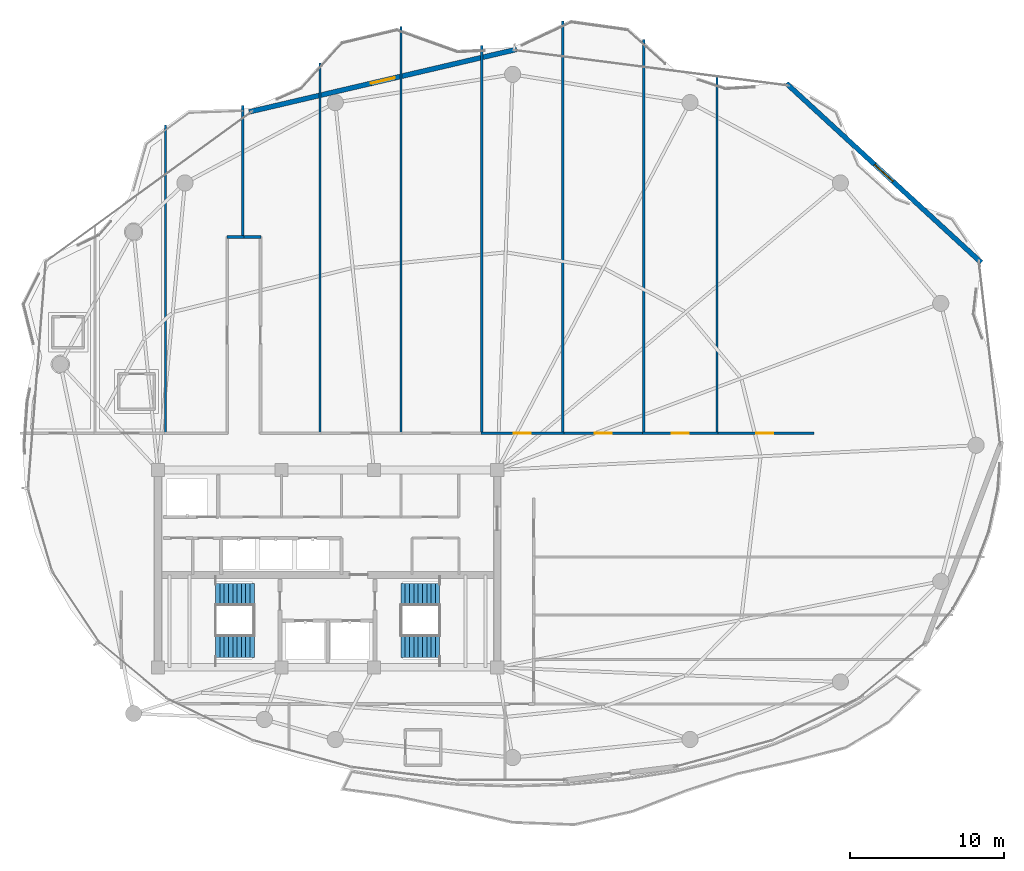
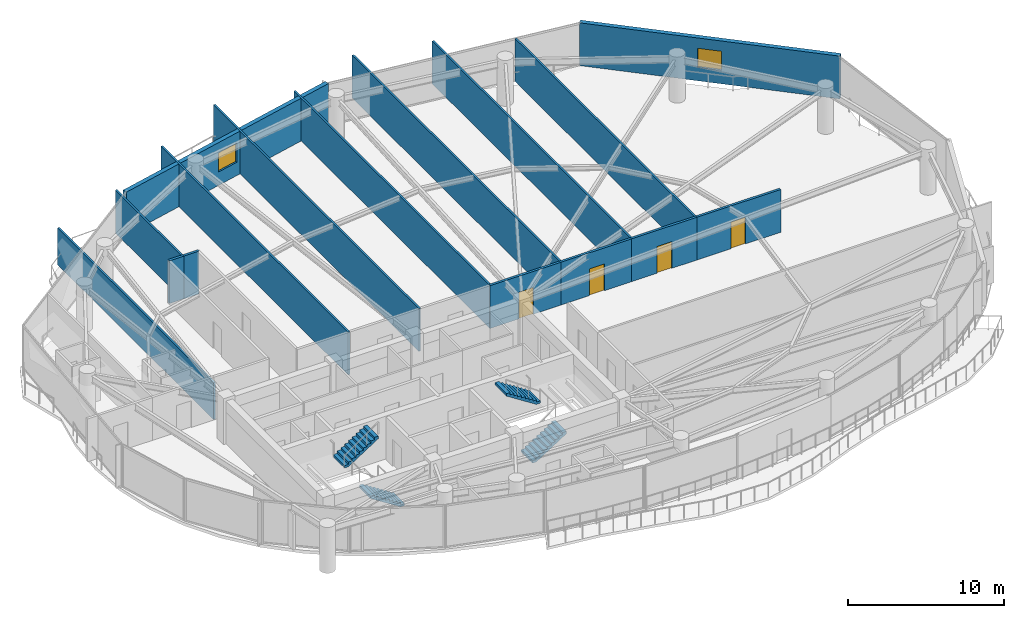
# One storey, part 27 of 31: 16 walls, 4 doors, 4 stair flights, 2 windows, 6 openings, 2 elements without a shape of their own.
"""IFC4 building model written with IfcOpenShell, lengths in metres."""

from ifc_helpers import new_model, si_unit, direction, frame, frame_2d, origin, place, context, subcontext, project, spatial, polyline, rectangle, outline, extrude, material, layer, layer_set, type_object, element, fill, aggregate, save


model = new_model("IFC4")

# Units and contexts
model_context = context("Model", 3, precision=1e-05, world=origin(), true_north=direction((0.0, 1.0)))
body_context = subcontext(model_context, "Body", "Model", "MODEL_VIEW")
ifc_project = project(units=[si_unit("LENGTHUNIT", "METRE"), si_unit("AREAUNIT", "SQUARE_METRE"), si_unit("VOLUMEUNIT", "CUBIC_METRE"), si_unit("PLANEANGLEUNIT", "RADIAN"), si_unit("MASSUNIT", "GRAM", prefix="KILO")], contexts=[model_context])

# Site, building, storey
site_placement = place(None, origin())
site = spatial("IfcSite", under=ifc_project, at=site_placement, CompositionType="ELEMENT")
building_placement = place(site_placement, origin())
building = spatial("IfcBuilding", under=site, at=building_placement, Name="Kazevale Care Tower and Concert Hall", CompositionType="ELEMENT")
storey_placement = place(building_placement, frame((0.0, 0.0, 238.800048828125)))
storey = spatial("IfcBuildingStorey", under=building, at=storey_placement, Name="L63", CompositionType="ELEMENT", Elevation=238.800048828125)

# Walls
ifc_material_1 = material(Name="Acoustic Gypsum on Steel Stud", Category="steel")
ifc_layer_1 = layer(ifc_material_1, 0.139892578125)
ifc_layer_set_1 = layer_set([ifc_layer_1], Name="Acoustic Gypsum on Steel Stud")
wall_type_1 = type_object("IfcWallType", Name="Acoustic Care & Suite Partition 140", PredefinedType="PARTITIONING", material=ifc_layer_set_1)
wall_1_placement = place(storey_placement, frame((22.5, 58.781982421875, 0.0), z_axis=(0.0, 0.0, 1.0), x_axis=(0.0, -1.0, 0.0)))
element("IfcWall", 1, at=wall_1_placement, inside=storey, type_object=wall_type_1, Name="wall:L63:auto_024", PredefinedType="PARTITIONING", context=body_context, shape_type="SweptSolid", body=[
    extrude(rectangle(XDim=20.036865234375, YDim=0.139892578125, at=frame_2d((10.0185546875, 0.0))), origin(), (0.0, 0.0, 1.0), 2.889892578125),
])
wall_2_placement = place(storey_placement, frame((27.5, 60.02392578125, 0.0), z_axis=(0.0, 0.0, 1.0), x_axis=(0.0, -1.0, 0.0)))
element("IfcWall", 2, at=wall_2_placement, inside=storey, type_object=wall_type_1, Name="wall:L63:auto_025", PredefinedType="PARTITIONING", context=body_context, shape_type="SweptSolid", body=[
    extrude(rectangle(XDim=8.553955078125, YDim=0.139892578125, at=frame_2d((4.27685546875, 0.0))), origin(), (0.0, 0.0, 1.0), 3.35986328125),
])
wall_3_placement = place(storey_placement, frame((32.5, 62.799072265625, 0.0), z_axis=(0.0, 0.0, 1.0), x_axis=(0.0, -1.0, 0.0)))
element("IfcWall", 3, at=wall_3_placement, inside=storey, type_object=wall_type_1, Name="wall:L63:auto_026", PredefinedType="PARTITIONING", context=body_context, shape_type="SweptSolid", body=[
    extrude(rectangle(XDim=24.053955078125, YDim=0.139892578125, at=frame_2d((12.02685546875, 0.0))), origin(), (0.0, 0.0, 1.0), 3.35986328125),
])
wall_4_placement = place(storey_placement, frame((37.75, 65.14990234375, 0.0), z_axis=(0.0, 0.0, 1.0), x_axis=(0.0, -1.0, 0.0)))
element("IfcWall", 4, at=wall_4_placement, inside=storey, type_object=wall_type_1, Name="wall:L63:auto_027", PredefinedType="PARTITIONING", context=body_context, shape_type="SweptSolid", body=[
    extrude(rectangle(XDim=26.40478515625, YDim=0.139892578125, at=frame_2d((13.202392578125, 0.0))), origin(), (0.0, 0.0, 1.0), 3.35986328125),
])
wall_5_placement = place(storey_placement, frame((43.0, 63.908935546875, 0.0), z_axis=(0.0, 0.0, 1.0), x_axis=(0.0, -1.0, 0.0)))
element("IfcWall", 5, at=wall_5_placement, inside=storey, type_object=wall_type_1, Name="wall:L63:auto_028", PredefinedType="PARTITIONING", context=body_context, shape_type="SweptSolid", body=[
    extrude(rectangle(XDim=25.163818359375, YDim=0.139892578125, at=frame_2d((12.58203125, 0.0))), origin(), (0.0, 0.0, 1.0), 3.35986328125),
])
wall_6_placement = place(storey_placement, frame((48.25, 65.508056640625, 0.0), z_axis=(0.0, 0.0, 1.0), x_axis=(0.0, -1.0, 0.0)))
element("IfcWall", 6, at=wall_6_placement, inside=storey, type_object=wall_type_1, Name="wall:L63:auto_029", PredefinedType="PARTITIONING", context=body_context, shape_type="SweptSolid", body=[
    extrude(rectangle(XDim=26.762939453125, YDim=0.139892578125, at=frame_2d((13.38134765625, 0.0))), origin(), (0.0, 0.0, 1.0), 3.35986328125),
])
wall_7_placement = place(storey_placement, frame((53.5, 64.298095703125, 0.0), z_axis=(0.0, 0.0, 1.0), x_axis=(0.0, -1.0, 0.0)))
element("IfcWall", 7, at=wall_7_placement, inside=storey, type_object=wall_type_1, Name="wall:L63:auto_030", PredefinedType="PARTITIONING", context=body_context, shape_type="SweptSolid", body=[
    extrude(rectangle(XDim=25.552978515625, YDim=0.139892578125, at=frame_2d((12.7763671875, 0.0))), origin(), (0.0, 0.0, 1.0), 3.35986328125),
])
wall_8_placement = place(storey_placement, frame((58.25, 61.90625, 0.0), z_axis=(0.0, 0.0, 1.0), x_axis=(0.0, -1.0, 0.0)))
element("IfcWall", 8, at=wall_8_placement, inside=storey, type_object=wall_type_1, Name="wall:L63:auto_031", PredefinedType="PARTITIONING", context=body_context, shape_type="SweptSolid", body=[
    extrude(rectangle(XDim=23.1611328125, YDim=0.139892578125, at=frame_2d((11.58056640625, 0.0))), origin(), (0.0, 0.0, 1.0), 3.35986328125),
])
ifc_material_2 = material(Name="Concrete C40 and Acoustic Gypsum", Category="concrete")
ifc_layer_2 = layer(ifc_material_2, 0.179931640625)
ifc_layer_set_2 = layer_set([ifc_layer_2], Name="Concrete C40 and Acoustic Gypsum")
wall_type_2 = type_object("IfcWallType", Name="Fire-Rated Corridor & Party Wall 180", PredefinedType="PARTITIONING", material=ifc_layer_set_2)
wall_9_placement = place(storey_placement, frame((26.469970703125, 51.5, 0.0), z_axis=(0.0, 0.0, 1.0), x_axis=(1.0, 0.0, 0.0)))
element("IfcWall", 9, at=wall_9_placement, inside=storey, type_object=wall_type_2, Name="wall:L63:auto_005", PredefinedType="PARTITIONING", context=body_context, shape_type="SweptSolid", body=[
    extrude(rectangle(XDim=1.094970703125, YDim=0.179931640625, at=frame_2d((0.54736328125, 0.0))), origin(), (0.0, 0.0, 1.0), 3.35986328125),
])
wall_10_placement = place(storey_placement, frame((27.43505859375, 51.5, 0.0), z_axis=(0.0, 0.0, 1.0), x_axis=(1.0, 0.0, 0.0)))
element("IfcWall", 10, at=wall_10_placement, inside=storey, type_object=wall_type_2, Name="wall:L63:auto_008", PredefinedType="PARTITIONING", context=body_context, shape_type="SweptSolid", body=[
    extrude(rectangle(XDim=1.244873046875, YDim=0.179931640625, at=frame_2d((0.62255859375, 0.0))), origin(), (0.0, 0.0, 1.0), 3.35986328125),
])

# Wall, opening, door
wall_11_placement = place(storey_placement, frame((42.93505859375, 38.77490234375, 0.0), z_axis=(0.0, 0.0, 1.0), x_axis=(1.0, 0.0, 0.0)))
wall_11 = element("IfcWall", 11, at=wall_11_placement, inside=storey, type_object=wall_type_2, Name="wall:L63:auto_011", PredefinedType="PARTITIONING", context=body_context, shape_type="SweptSolid", body=[
    extrude(rectangle(XDim=5.3798828125, YDim=0.179931640625, at=frame_2d((2.68994140625, 0.0))), origin(), (0.0, 0.0, 1.0), 3.35986328125),
])
opening_1_placement = place(wall_11_placement, frame((2.139892578125, 0.0, 0.0)))
opening_1 = element("IfcOpeningElement", 12, at=opening_1_placement, cuts=wall_11, Name="Opening ID-1100", PredefinedType="OPENING", context=body_context, shape_type="SweptSolid", body=[
    extrude(rectangle(XDim=1.10009765625, YDim=2.10009765625, at=frame_2d((0.550048828125, 1.050048828125))), frame((0.0, 0.099853515625, 0.0), z_axis=(0.0, -1.0, 0.0), x_axis=(1.0, 0.0, 0.0)), (0.0, 0.0, 1.0), 0.199951171875),
])
ifc_material_3 = material(Name="Oak Timber Fire Leaf", Category="wood")
door_type = type_object("IfcDoorType", Name="Care Bedroom Accessible Door 1100x2100", OperationType="NOTDEFINED", PredefinedType="DOOR", material=ifc_material_3)
door_1_placement = place(opening_1_placement, origin())
door_1 = element("IfcDoor", 13, at=door_1_placement, inside=storey, type_object=door_type, Name="door:L63:ad_011", OperationType="SINGLE_SWING_LEFT", OverallHeight=2.10009765625, OverallWidth=1.10009765625, PredefinedType="DOOR", context=body_context, shape_type="SweptSolid", body=[
    extrude(rectangle(XDim=1.10009765625, YDim=2.10009765625, at=frame_2d((0.550048828125, 1.050048828125))), frame((0.0, 0.02490234375, 0.0), z_axis=(0.0, -1.0, 0.0), x_axis=(1.0, 0.0, 0.0)), (0.0, 0.0, 1.0), 0.050048828125),
])
fill(opening_1, door_1)

wall_12_placement = place(storey_placement, frame((48.18505859375, 38.77490234375, 0.0), z_axis=(0.0, 0.0, 1.0), x_axis=(1.0, 0.0, 0.0)))
wall_12 = element("IfcWall", 14, at=wall_12_placement, inside=storey, type_object=wall_type_2, Name="wall:L63:auto_012", PredefinedType="PARTITIONING", context=body_context, shape_type="SweptSolid", body=[
    extrude(rectangle(XDim=5.3798828125, YDim=0.179931640625, at=frame_2d((2.68994140625, 0.0))), origin(), (0.0, 0.0, 1.0), 3.35986328125),
])
opening_2_placement = place(wall_12_placement, frame((2.139892578125, 0.0, 0.0)))
opening_2 = element("IfcOpeningElement", 15, at=opening_2_placement, cuts=wall_12, Name="Opening ID-1100", PredefinedType="OPENING", context=body_context, shape_type="SweptSolid", body=[
    extrude(rectangle(XDim=1.10009765625, YDim=2.10009765625, at=frame_2d((0.550048828125, 1.050048828125))), frame((0.0, 0.099853515625, 0.0), z_axis=(0.0, -1.0, 0.0), x_axis=(1.0, 0.0, 0.0)), (0.0, 0.0, 1.0), 0.199951171875),
])
door_2_placement = place(opening_2_placement, origin())
door_2 = element("IfcDoor", 16, at=door_2_placement, inside=storey, type_object=door_type, Name="door:L63:ad_012", OperationType="SINGLE_SWING_LEFT", OverallHeight=2.10009765625, OverallWidth=1.10009765625, PredefinedType="DOOR", context=body_context, shape_type="SweptSolid", body=[
    extrude(rectangle(XDim=1.10009765625, YDim=2.10009765625, at=frame_2d((0.550048828125, 1.050048828125))), frame((0.0, 0.02490234375, 0.0), z_axis=(0.0, -1.0, 0.0), x_axis=(1.0, 0.0, 0.0)), (0.0, 0.0, 1.0), 0.050048828125),
])
fill(opening_2, door_2)

wall_13_placement = place(storey_placement, frame((53.43505859375, 38.77490234375, 0.0), z_axis=(0.0, 0.0, 1.0), x_axis=(1.0, 0.0, 0.0)))
wall_13 = element("IfcWall", 17, at=wall_13_placement, inside=storey, type_object=wall_type_2, Name="wall:L63:auto_013", PredefinedType="PARTITIONING", context=body_context, shape_type="SweptSolid", body=[
    extrude(rectangle(XDim=4.8798828125, YDim=0.179931640625, at=frame_2d((2.43994140625, 0.0))), origin(), (0.0, 0.0, 1.0), 3.35986328125),
])
opening_3_placement = place(wall_13_placement, frame((1.889892578125, 0.0, 0.0)))
opening_3 = element("IfcOpeningElement", 18, at=opening_3_placement, cuts=wall_13, Name="Opening ID-1100", PredefinedType="OPENING", context=body_context, shape_type="SweptSolid", body=[
    extrude(rectangle(XDim=1.10009765625, YDim=2.10009765625, at=frame_2d((0.550048828125, 1.050048828125))), frame((0.0, 0.099853515625, 0.0), z_axis=(0.0, -1.0, 0.0), x_axis=(1.0, 0.0, 0.0)), (0.0, 0.0, 1.0), 0.199951171875),
])
door_3_placement = place(opening_3_placement, origin())
door_3 = element("IfcDoor", 19, at=door_3_placement, inside=storey, type_object=door_type, Name="door:L63:ad_013", OperationType="SINGLE_SWING_LEFT", OverallHeight=2.10009765625, OverallWidth=1.10009765625, PredefinedType="DOOR", context=body_context, shape_type="SweptSolid", body=[
    extrude(rectangle(XDim=1.10009765625, YDim=2.10009765625, at=frame_2d((0.550048828125, 1.050048828125))), frame((0.0, 0.02490234375, 0.0), z_axis=(0.0, -1.0, 0.0), x_axis=(1.0, 0.0, 0.0)), (0.0, 0.0, 1.0), 0.050048828125),
])
fill(opening_3, door_3)

wall_14_placement = place(storey_placement, frame((58.18505859375, 38.77490234375, 0.0), z_axis=(0.0, 0.0, 1.0), x_axis=(1.0, 0.0, 0.0)))
wall_14 = element("IfcWall", 20, at=wall_14_placement, inside=storey, type_object=wall_type_2, Name="wall:L63:auto_014", PredefinedType="PARTITIONING", context=body_context, shape_type="SweptSolid", body=[
    extrude(rectangle(XDim=6.344970703125, YDim=0.179931640625, at=frame_2d((3.17236328125, 0.0))), origin(), (0.0, 0.0, 1.0), 3.35986328125),
])
opening_4_placement = place(wall_14_placement, frame((2.6220703125, 0.0, 0.0)))
opening_4 = element("IfcOpeningElement", 21, at=opening_4_placement, cuts=wall_14, Name="Opening ID-1100", PredefinedType="OPENING", context=body_context, shape_type="SweptSolid", body=[
    extrude(rectangle(XDim=1.10009765625, YDim=2.10009765625, at=frame_2d((0.550048828125, 1.050048828125))), frame((0.0, 0.099853515625, 0.0), z_axis=(0.0, -1.0, 0.0), x_axis=(1.0, 0.0, 0.0)), (0.0, 0.0, 1.0), 0.199951171875),
])
door_4_placement = place(opening_4_placement, origin())
door_4 = element("IfcDoor", 22, at=door_4_placement, inside=storey, type_object=door_type, Name="door:L63:ad_014", OperationType="SINGLE_SWING_LEFT", OverallHeight=2.10009765625, OverallWidth=1.10009765625, PredefinedType="DOOR", context=body_context, shape_type="SweptSolid", body=[
    extrude(rectangle(XDim=1.10009765625, YDim=2.10009765625, at=frame_2d((0.550048828125, 1.050048828125))), frame((0.0, 0.02490234375, 0.0), z_axis=(0.0, -1.0, 0.0), x_axis=(1.0, 0.0, 0.0)), (0.0, 0.0, 1.0), 0.050048828125),
])
fill(opening_4, door_4)

# Wall, opening, window
ifc_material_4 = material(Name="Concrete C40 with Honed Limestone Cladding", Category="masonry")
ifc_layer_3 = layer(ifc_material_4, 0.320068359375)
ifc_layer_set_3 = layer_set([ifc_layer_3], Name="Concrete C40 with Honed Limestone Cladding")
wall_type_3 = type_object("IfcWallType", Name="Tower Honed Limestone Spandrel Wall 320", PredefinedType="STANDARD", material=ifc_layer_set_3)
wall_15_placement = place(storey_placement, frame((27.908935546875, 59.616943359375, 0.0), z_axis=(0.0, 0.0, 1.0), x_axis=(0.973753606594, 0.227604731158, 0.0)))
wall_15 = element("IfcWall", 23, at=wall_15_placement, inside=storey, type_object=wall_type_3, Name="wall:L63:cbox:15", PredefinedType="STANDARD", context=body_context, shape_type="SweptSolid", body=[
    extrude(rectangle(XDim=17.816650390625, YDim=0.320068359375, at=frame_2d((8.908203125, 0.0))), origin(), (0.0, 0.0, 1.0), 3.35986328125),
])
opening_5_placement = place(wall_15_placement, frame((8.10888671875, 0.0, 1.050048828125)))
opening_5 = element("IfcOpeningElement", 24, at=opening_5_placement, cuts=wall_15, Name="Opening WIN-1", PredefinedType="OPENING", context=body_context, shape_type="SweptSolid", body=[
    extrude(rectangle(XDim=1.60009765625, YDim=1.5, at=frame_2d((0.800048828125, 0.75))), frame((0.0, 0.169921875, 0.0), z_axis=(0.0, -1.0, 0.0), x_axis=(1.0, 0.0, 0.0)), (0.0, 0.0, 1.0), 0.340087890625),
])
ifc_material_5 = material(Name="Low-E Laminated Glass", Category="glass")
window_type = type_object("IfcWindowType", Name="Convex Box Deep-Set Window 1600x1500", PartitioningType="DOUBLE_PANEL_VERTICAL", PredefinedType="WINDOW", material=ifc_material_5)
window_1_placement = place(opening_5_placement, origin())
window_1 = element("IfcWindow", 25, at=window_1_placement, inside=storey, type_object=window_type, Name="win:L63:cbox:15", OverallHeight=1.5, OverallWidth=1.60009765625, PartitioningType="SINGLE_PANEL", PredefinedType="WINDOW", context=body_context, shape_type="SweptSolid", body=[
    extrude(rectangle(XDim=1.60009765625, YDim=1.5, at=frame_2d((0.800048828125, 0.75))), frame((0.0, 0.030029296875, 0.0), z_axis=(0.0, -1.0, 0.0), x_axis=(1.0, 0.0, 0.0)), (0.0, 0.0, 1.0), 0.06005859375),
])
fill(opening_5, window_1)

wall_16_placement = place(storey_placement, frame((62.7509765625, 61.462890625, 0.0), z_axis=(0.0, 0.0, 1.0), x_axis=(0.736063690764, -0.676912286149, 0.0)))
wall_16 = element("IfcWall", 26, at=wall_16_placement, inside=storey, type_object=wall_type_3, Name="wall:L63:cbox:17", PredefinedType="STANDARD", context=body_context, shape_type="SweptSolid", body=[
    extrude(rectangle(XDim=17.16162109375, YDim=0.320068359375, at=frame_2d((8.580810546875, 0.0))), origin(), (0.0, 0.0, 1.0), 3.35986328125),
])
opening_6_placement = place(wall_16_placement, frame((7.781005859375, 0.0, 1.050048828125)))
opening_6 = element("IfcOpeningElement", 27, at=opening_6_placement, cuts=wall_16, Name="Opening WIN-1", PredefinedType="OPENING", context=body_context, shape_type="SweptSolid", body=[
    extrude(rectangle(XDim=1.60009765625, YDim=1.5, at=frame_2d((0.800048828125, 0.75))), frame((0.0, 0.169921875, 0.0), z_axis=(0.0, -1.0, 0.0), x_axis=(1.0, 0.0, 0.0)), (0.0, 0.0, 1.0), 0.340087890625),
])
window_2_placement = place(opening_6_placement, origin())
window_2 = element("IfcWindow", 28, at=window_2_placement, inside=storey, type_object=window_type, Name="win:L63:cbox:17", OverallHeight=1.5, OverallWidth=1.60009765625, PartitioningType="SINGLE_PANEL", PredefinedType="WINDOW", context=body_context, shape_type="SweptSolid", body=[
    extrude(rectangle(XDim=1.60009765625, YDim=1.5, at=frame_2d((0.800048828125, 0.75))), frame((0.0, 0.030029296875, 0.0), z_axis=(0.0, -1.0, 0.0), x_axis=(1.0, 0.0, 0.0)), (0.0, 0.0, 1.0), 0.06005859375),
])
fill(opening_6, window_2)

# Stair, stair flights
ifc_material_6 = material(Name="Concrete C40", Category="concrete")
stair_type = type_object("IfcStairType", Name="Exit Stair Assembly ST1-Z3", PredefinedType="HALF_TURN_STAIR", material=ifc_material_6)
stair_1_placement = place(storey_placement, origin())
stair_1 = element("IfcStair", 29, at=stair_1_placement, inside=storey, type_object=stair_type, Name="stair:L63:ST1", PredefinedType="HALF_TURN_STAIR")
ifc_layer_4 = layer(ifc_material_6, 0.159912109375)
ifc_layer_set_4 = layer_set([ifc_layer_4], Name="Concrete C40")
stair_flight_type = type_object("IfcStairFlightType", Name="Exit Stair Flight ST1-Z3", PredefinedType="STRAIGHT", material=ifc_layer_set_4)
stair_flight_1_placement = place(storey_placement, frame((28.25, 24.97509765625, 0.0), z_axis=(0.0, 0.0, 1.0), x_axis=(-1.0, 0.0, 0.0)))
stair_flight_1 = element("IfcStairFlight", 30, at=stair_flight_1_placement, type_object=stair_flight_type, Name="ST1-Z3 flight 1", NumberOfRisers=10, NumberOfTreads=9, PredefinedType="STRAIGHT", RiserHeight=0.18, TreadLength=0.28, context=body_context, shape_type="SweptSolid", body=[
    extrude(outline(polyline([(0.0, 0.0), (0.0, 0.179931640625), (0.280029296875, 0.179931640625), (0.280029296875, 0.360107421875), (0.56005859375, 0.360107421875), (0.56005859375, 0.5400390625), (0.840087890625, 0.5400390625), (0.840087890625, 0.719970703125), (1.1201171875, 0.719970703125), (1.1201171875, 0.89990234375), (1.39990234375, 0.89990234375), (1.39990234375, 1.080078125), (1.679931640625, 1.080078125), (1.679931640625, 1.260009765625), (1.9599609375, 1.260009765625), (1.9599609375, 1.43994140625), (2.239990234375, 1.43994140625), (2.239990234375, 1.6201171875), (2.52001953125, 1.6201171875), (2.52001953125, 1.800048828125), (2.52001953125, 1.429931640625), (0.295654296875, 0.0), (0.0, 0.0)])), frame((0.0, 0.72509765625, 0.0), z_axis=(0.0, -1.0, 0.0), x_axis=(1.0, 0.0, 0.0)), (0.0, 0.0, 1.0), 1.449951171875),
])
stair_flight_2_placement = place(storey_placement, frame((25.72998046875, 28.324951171875, 1.800048828125), z_axis=(0.0, 0.0, 1.0), x_axis=(1.0, 0.0, 0.0)))
stair_flight_2 = element("IfcStairFlight", 31, at=stair_flight_2_placement, type_object=stair_flight_type, Name="ST1-Z3 flight 2", NumberOfRisers=10, NumberOfTreads=9, PredefinedType="STRAIGHT", RiserHeight=0.18, TreadLength=0.28, context=body_context, shape_type="SweptSolid", body=[
    extrude(outline(polyline([(0.0, 0.0), (0.0, 0.179931640625), (0.280029296875, 0.179931640625), (0.280029296875, 0.360107421875), (0.56005859375, 0.360107421875), (0.56005859375, 0.5400390625), (0.840087890625, 0.5400390625), (0.840087890625, 0.719970703125), (1.1201171875, 0.719970703125), (1.1201171875, 0.89990234375), (1.39990234375, 0.89990234375), (1.39990234375, 1.080078125), (1.679931640625, 1.080078125), (1.679931640625, 1.260009765625), (1.9599609375, 1.260009765625), (1.9599609375, 1.43994140625), (2.239990234375, 1.43994140625), (2.239990234375, 1.6201171875), (2.52001953125, 1.6201171875), (2.52001953125, 1.800048828125), (2.52001953125, 1.429931640625), (0.295654296875, 0.0), (0.0, 0.0)])), frame((0.0, 0.72509765625, 0.0), z_axis=(0.0, -1.0, 0.0), x_axis=(1.0, 0.0, 0.0)), (0.0, 0.0, 1.0), 1.449951171875),
])
aggregate(stair_1, [stair_flight_1, stair_flight_2])

stair_2_placement = place(storey_placement, origin())
stair_2 = element("IfcStair", 32, at=stair_2_placement, inside=storey, type_object=stair_type, Name="stair:L63:ST2", PredefinedType="HALF_TURN_STAIR")
stair_flight_3_placement = place(storey_placement, frame((37.75, 24.97509765625, 0.0), z_axis=(0.0, 0.0, 1.0), x_axis=(1.0, 0.0, 0.0)))
stair_flight_3 = element("IfcStairFlight", 33, at=stair_flight_3_placement, type_object=stair_flight_type, Name="ST1-Z3 flight 1", NumberOfRisers=10, NumberOfTreads=9, PredefinedType="STRAIGHT", RiserHeight=0.18, TreadLength=0.28, context=body_context, shape_type="SweptSolid", body=[
    extrude(outline(polyline([(0.0, 0.0), (0.0, 0.179931640625), (0.280029296875, 0.179931640625), (0.280029296875, 0.360107421875), (0.56005859375, 0.360107421875), (0.56005859375, 0.5400390625), (0.840087890625, 0.5400390625), (0.840087890625, 0.719970703125), (1.1201171875, 0.719970703125), (1.1201171875, 0.89990234375), (1.39990234375, 0.89990234375), (1.39990234375, 1.080078125), (1.679931640625, 1.080078125), (1.679931640625, 1.260009765625), (1.9599609375, 1.260009765625), (1.9599609375, 1.43994140625), (2.239990234375, 1.43994140625), (2.239990234375, 1.6201171875), (2.52001953125, 1.6201171875), (2.52001953125, 1.800048828125), (2.52001953125, 1.429931640625), (0.295654296875, 0.0), (0.0, 0.0)])), frame((0.0, 0.72509765625, 0.0), z_axis=(0.0, -1.0, 0.0), x_axis=(1.0, 0.0, 0.0)), (0.0, 0.0, 1.0), 1.449951171875),
])
stair_flight_4_placement = place(storey_placement, frame((40.27001953125, 28.324951171875, 1.800048828125), z_axis=(0.0, 0.0, 1.0), x_axis=(-1.0, 0.0, 0.0)))
stair_flight_4 = element("IfcStairFlight", 34, at=stair_flight_4_placement, type_object=stair_flight_type, Name="ST1-Z3 flight 2", NumberOfRisers=10, NumberOfTreads=9, PredefinedType="STRAIGHT", RiserHeight=0.18, TreadLength=0.28, context=body_context, shape_type="SweptSolid", body=[
    extrude(outline(polyline([(0.0, 0.0), (0.0, 0.179931640625), (0.280029296875, 0.179931640625), (0.280029296875, 0.360107421875), (0.56005859375, 0.360107421875), (0.56005859375, 0.5400390625), (0.840087890625, 0.5400390625), (0.840087890625, 0.719970703125), (1.1201171875, 0.719970703125), (1.1201171875, 0.89990234375), (1.39990234375, 0.89990234375), (1.39990234375, 1.080078125), (1.679931640625, 1.080078125), (1.679931640625, 1.260009765625), (1.9599609375, 1.260009765625), (1.9599609375, 1.43994140625), (2.239990234375, 1.43994140625), (2.239990234375, 1.6201171875), (2.52001953125, 1.6201171875), (2.52001953125, 1.800048828125), (2.52001953125, 1.429931640625), (0.295654296875, 0.0), (0.0, 0.0)])), frame((0.0, 0.72509765625, 0.0), z_axis=(0.0, -1.0, 0.0), x_axis=(1.0, 0.0, 0.0)), (0.0, 0.0, 1.0), 1.449951171875),
])
aggregate(stair_2, [stair_flight_3, stair_flight_4])

save(model, "model.ifc")
